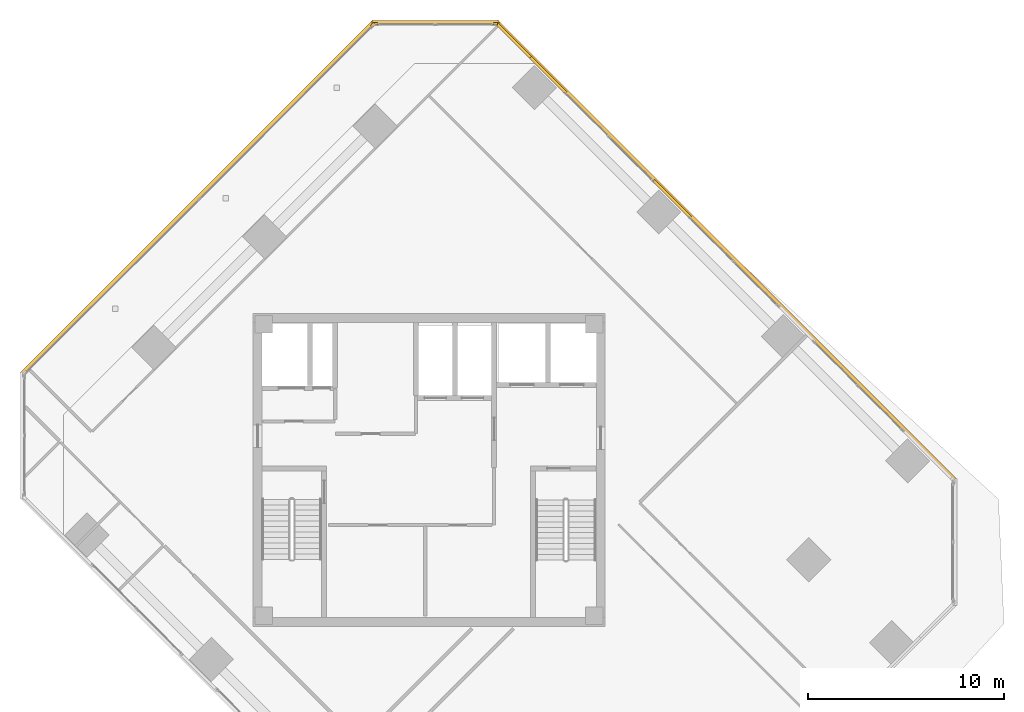
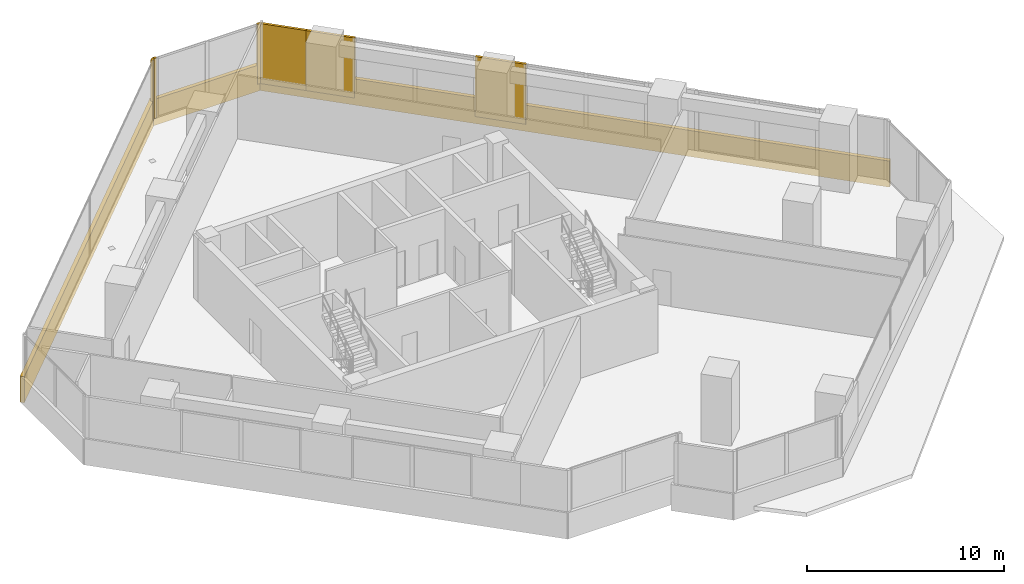
# One storey, part 17 of 17: 9 coverings.
"""IFC4 building model written with IfcOpenShell, lengths in metres."""

import ifcopenshell
import ifcopenshell.guid

model = None  # the IFC model being written
_history = None  # IfcOwnerHistory: only IFC2X3 demands one
_inside = {}  # id of a spatial element -> (the spatial element, [elements in it])
_under = {}  # id of a project, library or spatial element -> (it, [spatial elements below it])
_declared = {}  # id of a project -> (the project, [libraries it declares])
_typed = {}  # id of a type object -> (the type object, [elements of that type])
_made_of = {}  # id of a material, layer set ... -> (it, [elements and type objects made of it])


def new_model(schema):
    """Start an empty IFC model of exactly this schema.

    Asked for "IFC4X3", IfcOpenShell would pick the latest addendum, in which some entities
    have other attributes; the version numbers below select the first issue.
    IFC2X3 requires an IfcOwnerHistory on every rooted entity: one is made here for all.
    """
    global model, _history
    if schema == "IFC4X3":
        model = ifcopenshell.file(schema_version=(4, 3, 0, 0))
    else:
        model = ifcopenshell.file(schema=schema)
    _inside.clear()
    _under.clear()
    _declared.clear()
    _typed.clear()
    _made_of.clear()
    _history = None
    if model.schema == "IFC2X3":
        org = make("IfcOrganization", Name="unknown")
        user = make(
            "IfcPersonAndOrganization",
            ThePerson=make("IfcPerson", FamilyName="unknown"),
            TheOrganization=org,
        )
        app = make(
            "IfcApplication",
            ApplicationDeveloper=org,
            Version="unknown",
            ApplicationFullName="unknown",
            ApplicationIdentifier="unknown",
        )
        _history = make(
            "IfcOwnerHistory",
            OwningUser=user,
            OwningApplication=app,
            ChangeAction="ADDED",
            CreationDate=0,
        )
    return model


def make(cls, **values):
    """One entity of the class cls with the attributes given. An attribute that is None is left unset."""
    return model.create_entity(
        cls, **{name: value for name, value in values.items() if value is not None}
    )


def rooted(cls, **values):
    """An entity with a GlobalId (a new one), such as an element, a storey or a relation."""
    return make(cls, GlobalId=ifcopenshell.guid.new(), OwnerHistory=_history, **values)


def si_unit(unit_type, name, prefix=None):
    """IfcSIUnit, for example si_unit("LENGTHUNIT", "METRE", prefix="MILLI")."""
    return make("IfcSIUnit", UnitType=unit_type, Prefix=prefix, Name=name)


def assignment(units):
    """IfcUnitAssignment: the units of a project."""
    return None if units is None else make("IfcUnitAssignment", Units=units)


def point(xyz):
    """IfcCartesianPoint."""
    return None if xyz is None else make("IfcCartesianPoint", Coordinates=xyz)


def direction(xyz):
    """IfcDirection."""
    return None if xyz is None else make("IfcDirection", DirectionRatios=xyz)


def frame(location, z_axis=None, x_axis=None):
    """IfcAxis2Placement3D, a coordinate frame: its origin and axes. An axis left out is left unset."""
    return make(
        "IfcAxis2Placement3D",
        Location=point(location),
        Axis=direction(z_axis),
        RefDirection=direction(x_axis),
    )


def frame_2d(location, x_axis=None):
    """IfcAxis2Placement2D, a coordinate frame in the plane: its origin and x axis."""
    return make(
        "IfcAxis2Placement2D", Location=point(location), RefDirection=direction(x_axis)
    )


def origin():
    """The frame at (0, 0, 0) with its axes left unset."""
    return frame((0.0, 0.0, 0.0))


def origin_2d():
    """The frame at (0, 0) in the plane with its x axis left unset."""
    return frame_2d((0.0, 0.0))


def place(relative_to, where):
    """IfcLocalPlacement: puts the frame where relative to a parent placement (None: the world)."""
    return make(
        "IfcLocalPlacement", PlacementRelTo=relative_to, RelativePlacement=where
    )


def context(
    kind, dimensions, precision=None, world=None, true_north=None, identifier=None
):
    """IfcGeometricRepresentationContext, for example the 3D "Model" context."""
    return make(
        "IfcGeometricRepresentationContext",
        ContextIdentifier=identifier,
        ContextType=kind,
        CoordinateSpaceDimension=dimensions,
        Precision=precision,
        WorldCoordinateSystem=world,
        TrueNorth=true_north,
    )


def subcontext(parent, identifier, kind, view, scale=None):
    """IfcGeometricRepresentationSubContext, for example "Body" below "Model"."""
    return make(
        "IfcGeometricRepresentationSubContext",
        ContextIdentifier=identifier,
        ContextType=kind,
        ParentContext=parent,
        TargetScale=scale,
        TargetView=view,
    )


def project(units=None, contexts=None):
    """IfcProject with its units and contexts."""
    return rooted(
        "IfcProject",
        Name="project",
        RepresentationContexts=contexts,
        UnitsInContext=assignment(units),
    )


def spatial(cls, under=None, at=None, **own):
    """A site, building, storey or space (cls), placed at a placement, below another one or the project."""
    s = rooted(cls, ObjectPlacement=at, **own)
    if under is not None:
        _under.setdefault(under.id(), (under, []))[1].append(s)
    return s


def profile(cls, at=None, kind="AREA", **sizes):
    """A parametric profile (cls). Its sizes go by their IFC names, for example OverallWidth=200.0."""
    return make(cls, ProfileType=kind, Position=at, **sizes)


def rectangle(**sizes):
    """IfcRectangleProfileDef."""
    return profile("IfcRectangleProfileDef", **sizes)


def extrude(swept, where, along, depth):
    """IfcExtrudedAreaSolid: the profile swept, set in the frame where, extruded along a direction by depth."""
    return make(
        "IfcExtrudedAreaSolid",
        SweptArea=swept,
        Position=where,
        ExtrudedDirection=direction(along),
        Depth=depth,
    )


def shape(context_of_items, identifier, shape_type, items):
    """IfcShapeRepresentation: the items that make up one representation, for example the "Body"."""
    return make(
        "IfcShapeRepresentation",
        ContextOfItems=context_of_items,
        RepresentationIdentifier=identifier,
        RepresentationType=shape_type,
        Items=items,
    )


def source(mapping_origin, context_of_items, identifier, shape_type, items):
    """IfcRepresentationMap: a shape defined once, which mapped items show again and again."""
    return make(
        "IfcRepresentationMap",
        MappingOrigin=mapping_origin,
        MappedRepresentation=shape(context_of_items, identifier, shape_type, items),
    )


def transform(
    local_origin,
    x_axis=None,
    y_axis=None,
    z_axis=None,
    scale=None,
    scale2=None,
    scale3=None,
    uniform=True,
):
    """IfcCartesianTransformationOperator3D, or its non-uniform kind. x_axis, y_axis, z_axis: its Axis1, 2, 3."""
    if uniform:
        return make(
            "IfcCartesianTransformationOperator3D",
            Axis1=direction(x_axis),
            Axis2=direction(y_axis),
            LocalOrigin=point(local_origin),
            Scale=scale,
            Axis3=direction(z_axis),
        )
    return make(
        "IfcCartesianTransformationOperator3DnonUniform",
        Axis1=direction(x_axis),
        Axis2=direction(y_axis),
        LocalOrigin=point(local_origin),
        Scale=scale,
        Axis3=direction(z_axis),
        Scale2=scale2,
        Scale3=scale3,
    )


def mapped(mapping_source, mapping_target):
    """IfcMappedItem: shows the shape of a source again, moved by a transform."""
    return make(
        "IfcMappedItem", MappingSource=mapping_source, MappingTarget=mapping_target
    )


def material(Name=None, Category=None):
    """IfcMaterial."""
    return make("IfcMaterial", Name=Name, Category=Category)


def layer(
    of_material, thickness, ventilated=None, Name=None, Category=None, Priority=None
):
    """IfcMaterialLayer: one layer of a wall or slab, of a material (None: an air gap)."""
    return make(
        "IfcMaterialLayer",
        Material=of_material,
        LayerThickness=thickness,
        IsVentilated=ventilated,
        Name=Name,
        Category=Category,
        Priority=Priority,
    )


def layer_set(layers, Name=None):
    """IfcMaterialLayerSet."""
    return make("IfcMaterialLayerSet", MaterialLayers=layers, LayerSetName=Name)


def made_of(thing, what):
    """Note that an element or type object is made of a material, layer set ...; save() writes the relation."""
    if what is not None:
        _made_of.setdefault(what.id(), (what, []))[1].append(thing)
    return thing


def type_object(cls, material=None, **own):
    """A type object (cls), such as IfcWallType, which elements share."""
    return made_of(rooted(cls, **own), material)


def element(
    cls,
    number,
    at=None,
    inside=None,
    cuts=None,
    type_object=None,
    material=None,
    context=None,
    identifier="Body",
    shape_type=None,
    held_by="IfcProductDefinitionShape",
    body=None,
    shapes=None,
    **own,
):
    """One element of the class cls, such as IfcWall. Its Tag is "e" and its number.

    at: its placement. inside: the storey or other place that contains it. cuts: it is an
    opening in that element (IfcRelVoidsElement). A single representation is given by context,
    identifier, shape_type and body (its items); several are given by shapes. held_by: the class
    of the entity that holds the representations. save() writes the other relations.
    """
    e = rooted(cls, Tag="e%d" % number, ObjectPlacement=at, **own)
    if body is not None:
        shapes = [shape(context, identifier, shape_type, body)]
    if shapes is not None:
        e.Representation = make(held_by, Representations=shapes)
    if inside is not None:
        _inside.setdefault(inside.id(), (inside, []))[1].append(e)
    if cuts is not None:
        rooted(
            "IfcRelVoidsElement", RelatingBuildingElement=cuts, RelatedOpeningElement=e
        )
    if type_object is not None:
        _typed.setdefault(type_object.id(), (type_object, []))[1].append(e)
    return made_of(e, material)


def aggregate(whole, parts):
    """IfcRelAggregates: a whole, such as a stair, and the parts it consists of."""
    return rooted("IfcRelAggregates", RelatingObject=whole, RelatedObjects=parts)


def save(model, path):
    """Write the relations noted so far, then the file.

    IfcRelAggregates (storeys below a building ...), IfcRelContainedInSpatialStructure (elements
    in a storey), IfcRelDefinesByType, IfcRelAssociatesMaterial and IfcRelDeclares: one each for
    every whole, place, type object, material and project.
    """
    for whole, parts in _under.values():
        aggregate(whole, parts)
    for where, things in _inside.values():
        rooted(
            "IfcRelContainedInSpatialStructure",
            RelatedElements=things,
            RelatingStructure=where,
        )
    for kind, things in _typed.values():
        rooted("IfcRelDefinesByType", RelatedObjects=things, RelatingType=kind)
    for what, things in _made_of.values():
        rooted("IfcRelAssociatesMaterial", RelatedObjects=things, RelatingMaterial=what)
    for by, libraries in _declared.values():
        rooted("IfcRelDeclares", RelatingContext=by, RelatedDefinitions=libraries)
    model.write(path)


model = new_model("IFC4")

# Units and contexts
model_context = context("Model", 3, precision=1e-05, world=origin(), true_north=direction((0.0, 1.0)))
body_context = subcontext(model_context, "Body", "Model", "MODEL_VIEW")
ifc_project = project(units=[si_unit("LENGTHUNIT", "METRE"), si_unit("AREAUNIT", "SQUARE_METRE"), si_unit("VOLUMEUNIT", "CUBIC_METRE"), si_unit("PLANEANGLEUNIT", "RADIAN"), si_unit("MASSUNIT", "GRAM", prefix="KILO")], contexts=[model_context])

# Site, building, storey
site_placement = place(None, origin())
site = spatial("IfcSite", under=ifc_project, at=site_placement, CompositionType="ELEMENT")
building_placement = place(site_placement, origin())
building = spatial("IfcBuilding", under=site, at=building_placement, Name="Torre Montelarca", CompositionType="ELEMENT")
storey_placement = place(building_placement, frame((0.0, 0.0, 241.60009765625)))
storey = spatial("IfcBuildingStorey", under=building, at=storey_placement, Name="L54", CompositionType="ELEMENT", Elevation=241.60009765625)

# Coverings
ifc_material = material(Name="Bush-hammered warm white precast concrete C45/55", Category="concrete")
ifc_layer = layer(ifc_material, 0.139892578125, Name="Bush-hammered warm white precast concrete C45/55", Category="concrete")
ifc_layer_set = layer_set([ifc_layer], Name="Bush-hammered warm white precast concrete C45/55")
covering_type = type_object("IfcCoveringType", Name="COV-TRAY-CLAD", PredefinedType="CLADDING", material=ifc_layer_set)
shared_shape_1 = source(origin(), body_context, "Body", "SweptSolid", [
    extrude(rectangle(XDim=6.48388671875, YDim=0.219970703125, at=origin_2d()), origin(), (0.0, 0.0, 1.0), 1.6201171875),
])
covering_1_placement = place(storey_placement, frame((18.318115234375, 54.88037109375, -0.4501953125), z_axis=(0.0, 0.0, 1.0), x_axis=(-1.0, 0.0, 0.0)))
element("IfcCovering", 1, at=covering_1_placement, inside=storey, type_object=covering_type, Name="L54 Architectural White Spandrel Tray Band TRYBOT-09", PredefinedType="CLADDING", context=body_context, shape_type="MappedRepresentation", body=[
    mapped(shared_shape_1, transform((0.0, 0.0, 0.0), scale=1.0)),
])
shared_shape_2 = source(origin(), body_context, "Body", "SweptSolid", [
    extrude(rectangle(XDim=25.52001953125, YDim=0.219970703125, at=origin_2d()), origin(), (0.0, 0.0, 1.0), 1.6201171875),
])
covering_2_placement = place(storey_placement, frame((6.177001953125, 45.90869140625, -0.4501953125), z_axis=(0.0, 0.0, 1.0), x_axis=(-0.707104312914, -0.707109249451, 0.0)))
element("IfcCovering", 2, at=covering_2_placement, inside=storey, type_object=covering_type, Name="L54 Architectural White Spandrel Tray Band TRYBOT-10", PredefinedType="CLADDING", context=body_context, shape_type="MappedRepresentation", body=[
    mapped(shared_shape_2, transform((0.0, 0.0, 0.0), scale=1.0)),
])
shared_shape_3 = source(origin(), body_context, "Body", "SweptSolid", [
    extrude(rectangle(XDim=0.199951171875, YDim=0.139892578125, at=origin_2d()), origin(), (0.0, 0.0, 1.0), 3.719970703125),
])
for number, where, z_axis, x_axis, name in (
    (3, (21.38427734375, 54.8203125, 0.0), (0.0, 0.0, 1.0), (-1.0, 0.0, 0.0), "L54 Architectural Column Pier Cladding E09-1"),
    (4, (15.251708984375, 54.8203125, 0.0), (0.0, 0.0, 1.0), (-1.0, 0.0, 0.0), "L54 Architectural Column Pier Cladding E09-2"),
    (5, (15.11767578125, 54.7646484375, 0.0), (0.0, 0.0, 1.0), (-0.707104312914, -0.707109249451, 0.0), "L54 Architectural Column Pier Cladding E10-1"),
):
    element("IfcCovering", number, at=place(storey_placement, frame(where, z_axis=z_axis, x_axis=x_axis)), inside=storey, type_object=covering_type, Name=name, PredefinedType="CLADDING", context=body_context, shape_type="MappedRepresentation", body=[
        mapped(shared_shape_3, transform((0.0, 0.0, 0.0), scale=1.0)),
    ])
shared_shape_4 = source(origin(), body_context, "Body", "SweptSolid", [
    extrude(rectangle(XDim=33.219970703125, YDim=0.219970703125, at=origin_2d()), origin(), (0.0, 0.0, 1.0), 1.6201171875),
])
covering_3_placement = place(storey_placement, frame((33.181396484375, 43.186279296875, -0.4501953125), z_axis=(0.0, 0.0, 1.0), x_axis=(-0.707105547051, 0.70710801532, 0.0)))
element("IfcCovering", 6, at=covering_3_placement, inside=storey, type_object=covering_type, Name="L54 Architectural White Spandrel Tray Band TRYBOT-08", PredefinedType="CLADDING", context=body_context, shape_type="MappedRepresentation", body=[
    mapped(shared_shape_4, transform((0.0, 0.0, 0.0), scale=1.0)),
])
shared_shape_5 = source(origin(), body_context, "Body", "SweptSolid", [
    extrude(rectangle(XDim=2.659912109375, YDim=0.139892578125, at=origin_2d()), origin(), (0.0, 0.0, 1.0), 3.719970703125),
])
for number, where, z_axis, x_axis, name in (
    (7, (30.416748046875, 45.866455078125, 0.0), (0.0, 0.0, 1.0), (-0.707105547051, 0.70710801532, 0.0), "L54 Architectural Column Pier Cladding E08-4"),
    (8, (24.052734375, 52.23046875, 0.0), (0.0, 0.0, 1.0), (-0.707105547051, 0.70710801532, 0.0), "L54 Architectural Column Pier Cladding E08-5"),
):
    element("IfcCovering", number, at=place(storey_placement, frame(where, z_axis=z_axis, x_axis=x_axis)), inside=storey, type_object=covering_type, Name=name, PredefinedType="CLADDING", context=body_context, shape_type="MappedRepresentation", body=[
        mapped(shared_shape_5, transform((0.0, 0.0, 0.0), scale=1.0)),
    ])
shared_shape_6 = source(origin(), body_context, "Body", "SweptSolid", [
    extrude(rectangle(XDim=2.4541015625, YDim=0.139892578125, at=origin_2d()), origin(), (0.0, 0.0, 1.0), 3.719970703125),
])
covering_4_placement = place(storey_placement, frame((22.315185546875, 53.9677734375, 0.0), z_axis=(0.0, 0.0, 1.0), x_axis=(-0.707105547051, 0.70710801532, 0.0)))
element("IfcCovering", 9, at=covering_4_placement, inside=storey, type_object=covering_type, Name="L54 Architectural Column Pier Cladding E08-6", PredefinedType="CLADDING", context=body_context, shape_type="MappedRepresentation", body=[
    mapped(shared_shape_6, transform((0.0, 0.0, 0.0), scale=1.0)),
])

save(model, "model.ifc")
